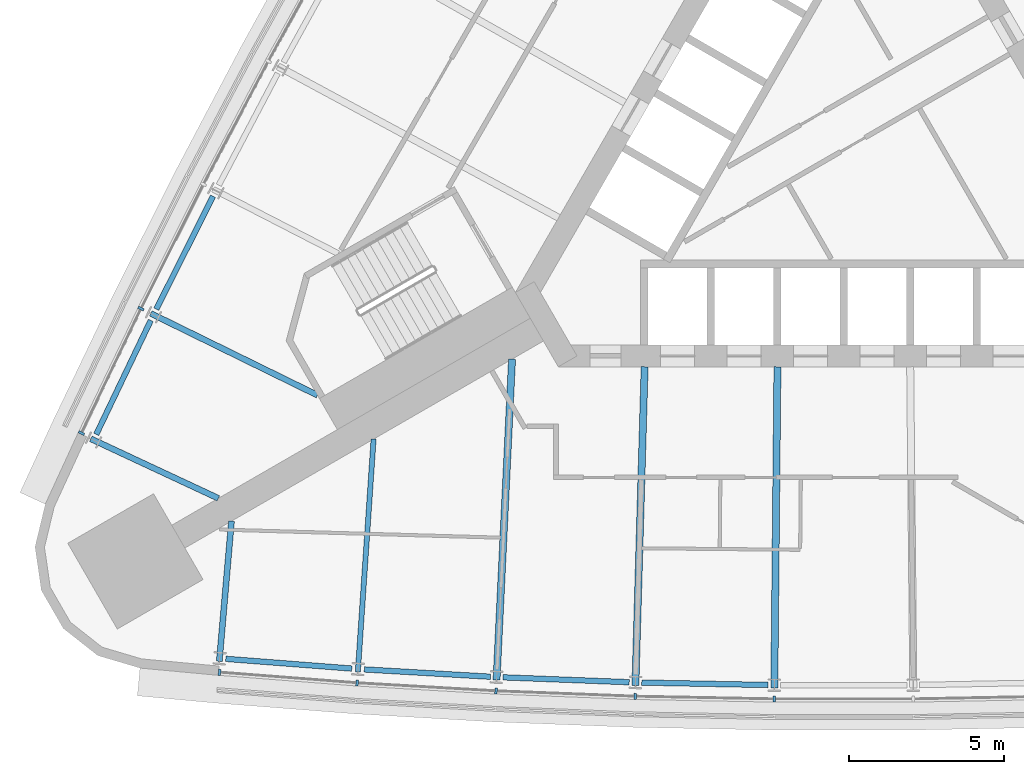
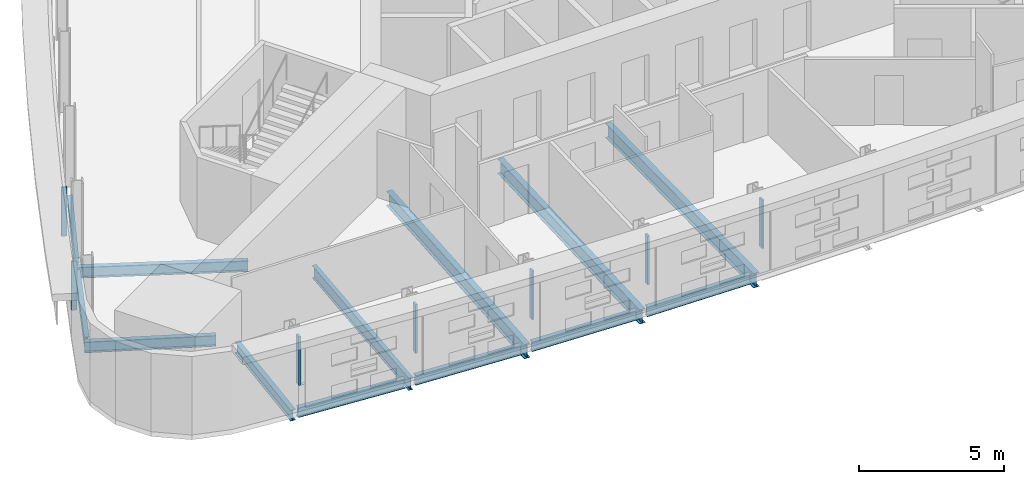
# One storey, part 2 of 14: 13 beams, 7 members, 2 elements without a shape of their own.
"""IFC4 building model written with IfcOpenShell, lengths in metres."""

from ifc_helpers import new_model, si_unit, direction, frame, origin, origin_2d, place, context, subcontext, project, spatial, rectangle, i_section, extrude, material, material_profile, profile_set, type_object, element, aggregate, save


model = new_model("IFC4")

# Units and contexts
model_context = context("Model", 3, precision=1e-05, world=origin(), true_north=direction((0.0, 1.0)))
body_context = subcontext(model_context, "Body", "Model", "MODEL_VIEW")
ifc_project = project(units=[si_unit("LENGTHUNIT", "METRE"), si_unit("AREAUNIT", "SQUARE_METRE"), si_unit("VOLUMEUNIT", "CUBIC_METRE"), si_unit("PLANEANGLEUNIT", "RADIAN"), si_unit("MASSUNIT", "GRAM", prefix="KILO")], contexts=[model_context])

# Site, building, storey
site_placement = place(None, origin())
site = spatial("IfcSite", under=ifc_project, at=site_placement, CompositionType="ELEMENT")
building_placement = place(site_placement, origin())
building = spatial("IfcBuilding", under=site, at=building_placement, Name="Noor Cloister Tower", CompositionType="ELEMENT")
storey_placement = place(building_placement, frame((0.0, 0.0, 72.60009765625)))
storey = spatial("IfcBuildingStorey", under=building, at=storey_placement, Name="L18", CompositionType="ELEMENT", Elevation=72.60009765625)

# Curtain wall, members
ifc_material_1 = material(Name="Aluminium 6063-T6 anodised", Category="aluminium")
curtain_wall_type = type_object("IfcCurtainWallType", Name="Ribbon curtain wall, lower tower CW1", PredefinedType="NOTDEFINED", material=ifc_material_1)
curtain_wall_1_placement = place(storey_placement, origin())
curtain_wall_1 = element("IfcCurtainWall", 1, at=curtain_wall_1_placement, inside=storey, type_object=curtain_wall_type, Name="CW1 L18 NW run 1", PredefinedType="NOTDEFINED")
ifc_material_2 = material(Name="Aluminium 6063-T6 anodised", Category="aluminium")
ifc_material_profile_1 = material_profile(ifc_material_2, rectangle(XDim=0.199951171875, YDim=0.080078125, at=origin_2d()), Name="200 x 80 mullion")
ifc_profile_set_1 = profile_set([ifc_material_profile_1], Name="Aluminium 6063-T6 anodised")
member_type = type_object("IfcMemberType", Name="Mullion CW1 80 x 200", PredefinedType="MULLION", material=ifc_profile_set_1)
member_1_placement = place(storey_placement, frame((-22.716064453125, -5.0498046875, 1.099853515625), z_axis=(0.0, 0.0, 1.0), x_axis=(0.897787769336, -0.440428338361, 0.0)))
member_1 = element("IfcMember", 2, at=member_1_placement, type_object=member_type, Name="CW1 mullion 9", PredefinedType="MULLION", context=body_context, shape_type="SweptSolid", body=[
    extrude(rectangle(XDim=0.199951171875, YDim=0.080078125, at=origin_2d()), origin(), (0.0, 0.0, 1.0), 2.050048828125),
])
member_2_placement = place(storey_placement, frame((-24.641357421875, -9.07177734375, 1.099853515625), z_axis=(0.0, 0.0, 1.0), x_axis=(0.901994375203, -0.431747781814, 0.0)))
member_2 = element("IfcMember", 3, at=member_2_placement, type_object=member_type, Name="CW1 mullion 10", PredefinedType="MULLION", context=body_context, shape_type="SweptSolid", body=[
    extrude(rectangle(XDim=0.199951171875, YDim=0.080078125, at=origin_2d()), origin(), (0.0, 0.0, 1.0), 2.050048828125),
])
aggregate(curtain_wall_1, [member_1, member_2])

curtain_wall_2_placement = place(storey_placement, origin())
curtain_wall_2 = element("IfcCurtainWall", 4, at=curtain_wall_2_placement, inside=storey, type_object=curtain_wall_type, Name="CW1 L18 S run 2", PredefinedType="NOTDEFINED")
member_3_placement = place(storey_placement, frame((-20.177001953125, -16.80419921875, 1.099853515625), z_axis=(0.0, 0.0, 1.0), x_axis=(0.077092640523, 0.997023933904, 0.0)))
member_3 = element("IfcMember", 5, at=member_3_placement, type_object=member_type, Name="CW1 mullion 1", PredefinedType="MULLION", context=body_context, shape_type="SweptSolid", body=[
    extrude(rectangle(XDim=0.199951171875, YDim=0.080078125, at=origin_2d()), origin(), (0.0, 0.0, 1.0), 2.050048828125),
])
member_4_placement = place(storey_placement, frame((-15.731201171875, -17.14794921875, 1.099853515625), z_axis=(0.0, 0.0, 1.0), x_axis=(0.067471755101, 0.997721184632, 0.0)))
member_4 = element("IfcMember", 6, at=member_4_placement, type_object=member_type, Name="CW1 mullion 2", PredefinedType="MULLION", context=body_context, shape_type="SweptSolid", body=[
    extrude(rectangle(XDim=0.199951171875, YDim=0.080078125, at=origin_2d()), origin(), (0.0, 0.0, 1.0), 2.050048828125),
])
member_5_placement = place(storey_placement, frame((-11.24072265625, -17.407958984375, 1.099853515625), z_axis=(0.0, 0.0, 1.0), x_axis=(0.048212063221, 0.998837122338, 0.0)))
member_5 = element("IfcMember", 7, at=member_5_placement, type_object=member_type, Name="CW1 mullion 3", PredefinedType="MULLION", context=body_context, shape_type="SweptSolid", body=[
    extrude(rectangle(XDim=0.199951171875, YDim=0.080078125, at=origin_2d()), origin(), (0.0, 0.0, 1.0), 2.050048828125),
])
member_6_placement = place(storey_placement, frame((-6.74609375, -17.58154296875, 1.099853515625), z_axis=(0.0, 0.0, 1.0), x_axis=(0.028934410279, 0.999581312301, 0.0)))
member_6 = element("IfcMember", 8, at=member_6_placement, type_object=member_type, Name="CW1 mullion 4", PredefinedType="MULLION", context=body_context, shape_type="SweptSolid", body=[
    extrude(rectangle(XDim=0.199951171875, YDim=0.080078125, at=origin_2d()), origin(), (0.0, 0.0, 1.0), 2.050048828125),
])
member_7_placement = place(storey_placement, frame((-2.2490234375, -17.668212890625, 1.099853515625), z_axis=(0.0, 0.0, 1.0), x_axis=(0.009646005931, 0.999953476203, 0.0)))
member_7 = element("IfcMember", 9, at=member_7_placement, type_object=member_type, Name="CW1 mullion 5", PredefinedType="MULLION", context=body_context, shape_type="SweptSolid", body=[
    extrude(rectangle(XDim=0.199951171875, YDim=0.080078125, at=origin_2d()), origin(), (0.0, 0.0, 1.0), 2.050048828125),
])
aggregate(curtain_wall_2, [member_3, member_4, member_5, member_6, member_7])

# Beams
ifc_material_3 = material(Name="Steel ASTM A992 Gr 50", Category="steel")
ifc_material_profile_2 = material_profile(ifc_material_3, i_section(OverallWidth=0.19091796875, OverallDepth=0.45703125, WebThickness=0.009033203125, FlangeThickness=0.014404296875, FilletRadius=0.01025390625, at=origin_2d()), Name="W460x74")
ifc_profile_set_2 = profile_set([ifc_material_profile_2], Name="Steel ASTM A992 Gr 50")
beam_type_1 = type_object("IfcBeamType", Name="Radial beam W460x74", PredefinedType="BEAM", material=ifc_profile_set_2)
beam_1_placement = place(storey_placement, frame((-22.399169921875, -5.205322265625, -0.4287109375), z_axis=(0.897794266156, -0.440415094721, 0.0), x_axis=(0.440415094721, 0.897794266156, 0.0)))
element("IfcBeam", 10, at=beam_1_placement, inside=storey, type_object=beam_type_1, Name="Radial beam NW 09 L18", PredefinedType="BEAM", context=body_context, shape_type="SweptSolid", body=[
    extrude(i_section(OverallWidth=0.19091796875, OverallDepth=0.45703125, WebThickness=0.009033203125, FlangeThickness=0.014404296875, FilletRadius=0.01025390625, at=origin_2d()), origin(), (0.0, 0.0, 1.0), 6.001220703125),
])
for number, where, z_axis, x_axis, name in (
    (11, (-24.33837890625, -9.25634765625, -0.4287109375), (0.906124182133, -0.423011780632, 0.0), (0.423011780632, 0.906124182133, 0.0), "Radial beam NW 10 L18"),
    (12, (-20.185302734375, -16.449462890625, -0.4287109375), (0.08671760944, 0.996232932709, 0.0), (-0.996232932709, 0.08671760944, 0.0), "Radial beam S 01 L18"),
):
    element("IfcBeam", number, at=place(storey_placement, frame(where, z_axis=z_axis, x_axis=x_axis)), inside=storey, type_object=beam_type_1, Name=name, PredefinedType="BEAM", context=body_context, shape_type="SweptSolid", body=[
        extrude(i_section(OverallWidth=0.19091796875, OverallDepth=0.45703125, WebThickness=0.009033203125, FlangeThickness=0.014404296875, FilletRadius=0.01025390625, at=origin_2d()), origin(), (0.0, 0.0, 1.0), 4.549560546875),
    ])
ifc_material_4 = material(Name="Steel ASTM A992 Gr 50", Category="steel")
ifc_material_profile_3 = material_profile(ifc_material_4, i_section(OverallWidth=0.166015625, OverallDepth=0.528076171875, WebThickness=0.009765625, FlangeThickness=0.013671875, FilletRadius=0.0126953125, at=origin_2d()), Name="W530x74")
ifc_profile_set_3 = profile_set([ifc_material_profile_3], Name="Steel ASTM A992 Gr 50")
beam_type_2 = type_object("IfcBeamType", Name="Radial beam W530x74", PredefinedType="BEAM", material=ifc_profile_set_3)
beam_2_placement = place(storey_placement, frame((-15.70751953125, -16.795654296875, -0.464111328125), z_axis=(0.067476517937, 0.99772086253, 0.0), x_axis=(-0.99772086253, 0.067476517937, 0.0)))
element("IfcBeam", 13, at=beam_2_placement, inside=storey, type_object=beam_type_2, Name="Radial beam S 02 L18", PredefinedType="BEAM", context=body_context, shape_type="SweptSolid", body=[
    extrude(i_section(OverallWidth=0.166015625, OverallDepth=0.528076171875, WebThickness=0.009765625, FlangeThickness=0.013671875, FilletRadius=0.0126953125, at=origin_2d()), origin(), (0.0, 0.0, 1.0), 7.54736328125),
])
ifc_material_5 = material(Name="Steel ASTM A992 Gr 50", Category="steel")
ifc_material_profile_4 = material_profile(ifc_material_5, i_section(OverallWidth=0.22802734375, OverallDepth=0.60205078125, WebThickness=0.010498046875, FlangeThickness=0.014892578125, FilletRadius=0.0126953125, at=origin_2d()), Name="W610x101")
ifc_profile_set_4 = profile_set([ifc_material_profile_4], Name="Steel ASTM A992 Gr 50")
beam_type_3 = type_object("IfcBeamType", Name="Radial beam W610x101", PredefinedType="BEAM", material=ifc_profile_set_4)
beam_3_placement = place(storey_placement, frame((-11.223876953125, -17.055419921875, -0.5009765625), z_axis=(0.048212912237, 0.998837081357, 0.0), x_axis=(-0.998837081357, 0.048212912237, 0.0)))
element("IfcBeam", 14, at=beam_3_placement, inside=storey, type_object=beam_type_3, Name="Radial beam S 03 L18", PredefinedType="BEAM", context=body_context, shape_type="SweptSolid", body=[
    extrude(i_section(OverallWidth=0.22802734375, OverallDepth=0.60205078125, WebThickness=0.010498046875, FlangeThickness=0.014892578125, FilletRadius=0.0126953125, at=origin_2d()), origin(), (0.0, 0.0, 1.0), 10.3857421875),
])
beam_4_placement = place(storey_placement, frame((-6.73583984375, -17.228759765625, -0.5009765625), z_axis=(0.028927710154, 0.999581506224, 0.0), x_axis=(-0.999581506224, 0.028927710154, 0.0)))
element("IfcBeam", 15, at=beam_4_placement, inside=storey, type_object=beam_type_3, Name="Radial beam S 04 L18", PredefinedType="BEAM", context=body_context, shape_type="SweptSolid", body=[
    extrude(i_section(OverallWidth=0.22802734375, OverallDepth=0.60205078125, WebThickness=0.010498046875, FlangeThickness=0.014892578125, FilletRadius=0.0126953125, at=origin_2d()), origin(), (0.0, 0.0, 1.0), 10.304931640625),
])
beam_5_placement = place(storey_placement, frame((-2.24560546875, -17.3154296875, -0.5009765625), z_axis=(0.009636181171, 0.999953570928, 0.0), x_axis=(-0.999953570928, 0.009636181171, 0.0)))
element("IfcBeam", 16, at=beam_5_placement, inside=storey, type_object=beam_type_3, Name="Radial beam S 05 L18", PredefinedType="BEAM", context=body_context, shape_type="SweptSolid", body=[
    extrude(i_section(OverallWidth=0.22802734375, OverallDepth=0.60205078125, WebThickness=0.010498046875, FlangeThickness=0.014892578125, FilletRadius=0.0126953125, at=origin_2d()), origin(), (0.0, 0.0, 1.0), 10.3876953125),
])
ifc_material_6 = material(Name="Steel ASTM A992 Gr 50", Category="steel")
ifc_material_profile_5 = material_profile(ifc_material_6, i_section(OverallWidth=0.177978515625, OverallDepth=0.406005859375, WebThickness=0.0078125, FlangeThickness=0.0126953125, FilletRadius=0.01025390625, at=origin_2d()), Name="W410x60")
ifc_profile_set_5 = profile_set([ifc_material_profile_5], Name="Steel ASTM A992 Gr 50")
beam_type_4 = type_object("IfcBeamType", Name="Spandrel beam W410x60", PredefinedType="SPANDREL", material=ifc_profile_set_5)
for number, where, z_axis, x_axis, name in (
    (17, (-20.38671875, -1.417236328125, -0.403076171875), (-0.449101034205, -0.893480979694, 0.0), (0.893480979694, -0.449101034205, 0.0), "Spandrel beam NW 08 L18"),
    (18, (-22.3994140625, -5.43017578125, -0.403076171875), (-0.431728272915, -0.902003713055, 0.0), (0.902003713055, -0.431728272915, 0.0), "Spandrel beam NW 09 L18"),
):
    element("IfcBeam", number, at=place(storey_placement, frame(where, z_axis=z_axis, x_axis=x_axis)), inside=storey, type_object=beam_type_4, Name=name, PredefinedType="SPANDREL", context=body_context, shape_type="SweptSolid", body=[
        extrude(i_section(OverallWidth=0.177978515625, OverallDepth=0.406005859375, WebThickness=0.0078125, FlangeThickness=0.0126953125, FilletRadius=0.01025390625, at=origin_2d()), origin(), (0.0, 0.0, 1.0), 4.085205078125),
    ])
beam_6_placement = place(storey_placement, frame((-19.9755859375, -16.368408203125, -0.403076171875), z_axis=(0.997024176871, -0.077089498212, 0.0), x_axis=(0.077089498212, 0.997024176871, 0.0)))
element("IfcBeam", 19, at=beam_6_placement, inside=storey, type_object=beam_type_4, Name="Spandrel beam S 01 L18", PredefinedType="SPANDREL", context=body_context, shape_type="SweptSolid", body=[
    extrude(i_section(OverallWidth=0.177978515625, OverallDepth=0.406005859375, WebThickness=0.0078125, FlangeThickness=0.0126953125, FilletRadius=0.01025390625, at=origin_2d()), origin(), (0.0, 0.0, 1.0), 4.08544921875),
])
for number, where, z_axis, x_axis, name in (
    (20, (-15.499267578125, -16.710693359375, -0.403076171875), (0.998328754654, -0.057790117076, 0.0), (0.057790117076, 0.998328754654, 0.0), "Spandrel beam S 02 L18"),
    (21, (-11.017333984375, -16.96630859375, -0.403076171875), (0.999254539372, -0.038605252822, 0.0), (0.038605252822, 0.999254539372, 0.0), "Spandrel beam S 03 L18"),
):
    element("IfcBeam", number, at=place(storey_placement, frame(where, z_axis=z_axis, x_axis=x_axis)), inside=storey, type_object=beam_type_4, Name=name, PredefinedType="SPANDREL", context=body_context, shape_type="SweptSolid", body=[
        extrude(i_section(OverallWidth=0.177978515625, OverallDepth=0.406005859375, WebThickness=0.0078125, FlangeThickness=0.0126953125, FilletRadius=0.01025390625, at=origin_2d()), origin(), (0.0, 0.0, 1.0), 4.085205078125),
    ])
beam_7_placement = place(storey_placement, frame((-6.53125, -17.1357421875, -0.403076171875), z_axis=(0.999814852725, -0.019242148262, 0.0), x_axis=(0.019242148262, 0.999814852725, 0.0)))
element("IfcBeam", 22, at=beam_7_placement, inside=storey, type_object=beam_type_4, Name="Spandrel beam S 04 L18", PredefinedType="SPANDREL", context=body_context, shape_type="SweptSolid", body=[
    extrude(i_section(OverallWidth=0.177978515625, OverallDepth=0.406005859375, WebThickness=0.0078125, FlangeThickness=0.0126953125, FilletRadius=0.01025390625, at=origin_2d()), origin(), (0.0, 0.0, 1.0), 4.08544921875),
])

save(model, "model.ifc")
